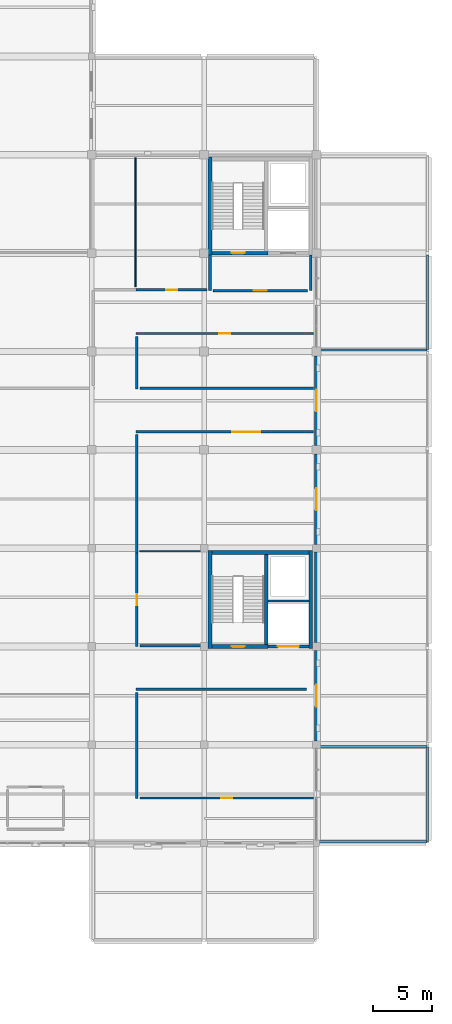
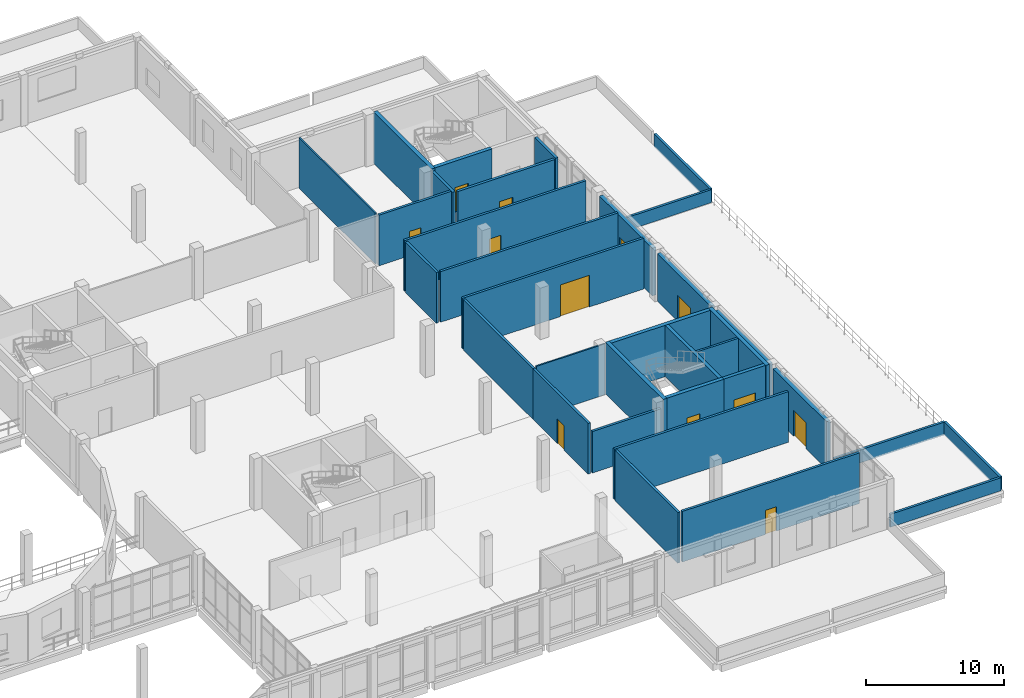
# One storey, part 79 of 88: 34 walls, 12 doors, 12 openings.
"""IFC4 building model written with IfcOpenShell, lengths in metres."""

import ifcopenshell
import ifcopenshell.guid

model = None  # the IFC model being written
_history = None  # IfcOwnerHistory: only IFC2X3 demands one
_inside = {}  # id of a spatial element -> (the spatial element, [elements in it])
_under = {}  # id of a project, library or spatial element -> (it, [spatial elements below it])
_declared = {}  # id of a project -> (the project, [libraries it declares])
_typed = {}  # id of a type object -> (the type object, [elements of that type])
_made_of = {}  # id of a material, layer set ... -> (it, [elements and type objects made of it])


def new_model(schema):
    """Start an empty IFC model of exactly this schema.

    Asked for "IFC4X3", IfcOpenShell would pick the latest addendum, in which some entities
    have other attributes; the version numbers below select the first issue.
    IFC2X3 requires an IfcOwnerHistory on every rooted entity: one is made here for all.
    """
    global model, _history
    if schema == "IFC4X3":
        model = ifcopenshell.file(schema_version=(4, 3, 0, 0))
    else:
        model = ifcopenshell.file(schema=schema)
    _inside.clear()
    _under.clear()
    _declared.clear()
    _typed.clear()
    _made_of.clear()
    _history = None
    if model.schema == "IFC2X3":
        org = make("IfcOrganization", Name="unknown")
        user = make(
            "IfcPersonAndOrganization",
            ThePerson=make("IfcPerson", FamilyName="unknown"),
            TheOrganization=org,
        )
        app = make(
            "IfcApplication",
            ApplicationDeveloper=org,
            Version="unknown",
            ApplicationFullName="unknown",
            ApplicationIdentifier="unknown",
        )
        _history = make(
            "IfcOwnerHistory",
            OwningUser=user,
            OwningApplication=app,
            ChangeAction="ADDED",
            CreationDate=0,
        )
    return model


def make(cls, **values):
    """One entity of the class cls with the attributes given. An attribute that is None is left unset."""
    return model.create_entity(
        cls, **{name: value for name, value in values.items() if value is not None}
    )


def rooted(cls, **values):
    """An entity with a GlobalId (a new one), such as an element, a storey or a relation."""
    return make(cls, GlobalId=ifcopenshell.guid.new(), OwnerHistory=_history, **values)


def si_unit(unit_type, name, prefix=None):
    """IfcSIUnit, for example si_unit("LENGTHUNIT", "METRE", prefix="MILLI")."""
    return make("IfcSIUnit", UnitType=unit_type, Prefix=prefix, Name=name)


def assignment(units):
    """IfcUnitAssignment: the units of a project."""
    return None if units is None else make("IfcUnitAssignment", Units=units)


def point(xyz):
    """IfcCartesianPoint."""
    return None if xyz is None else make("IfcCartesianPoint", Coordinates=xyz)


def direction(xyz):
    """IfcDirection."""
    return None if xyz is None else make("IfcDirection", DirectionRatios=xyz)


def frame(location, z_axis=None, x_axis=None):
    """IfcAxis2Placement3D, a coordinate frame: its origin and axes. An axis left out is left unset."""
    return make(
        "IfcAxis2Placement3D",
        Location=point(location),
        Axis=direction(z_axis),
        RefDirection=direction(x_axis),
    )


def frame_2d(location, x_axis=None):
    """IfcAxis2Placement2D, a coordinate frame in the plane: its origin and x axis."""
    return make(
        "IfcAxis2Placement2D", Location=point(location), RefDirection=direction(x_axis)
    )


def origin():
    """The frame at (0, 0, 0) with its axes left unset."""
    return frame((0.0, 0.0, 0.0))


def place(relative_to, where):
    """IfcLocalPlacement: puts the frame where relative to a parent placement (None: the world)."""
    return make(
        "IfcLocalPlacement", PlacementRelTo=relative_to, RelativePlacement=where
    )


def context(
    kind, dimensions, precision=None, world=None, true_north=None, identifier=None
):
    """IfcGeometricRepresentationContext, for example the 3D "Model" context."""
    return make(
        "IfcGeometricRepresentationContext",
        ContextIdentifier=identifier,
        ContextType=kind,
        CoordinateSpaceDimension=dimensions,
        Precision=precision,
        WorldCoordinateSystem=world,
        TrueNorth=true_north,
    )


def subcontext(parent, identifier, kind, view, scale=None):
    """IfcGeometricRepresentationSubContext, for example "Body" below "Model"."""
    return make(
        "IfcGeometricRepresentationSubContext",
        ContextIdentifier=identifier,
        ContextType=kind,
        ParentContext=parent,
        TargetScale=scale,
        TargetView=view,
    )


def project(units=None, contexts=None):
    """IfcProject with its units and contexts."""
    return rooted(
        "IfcProject",
        Name="project",
        RepresentationContexts=contexts,
        UnitsInContext=assignment(units),
    )


def spatial(cls, under=None, at=None, **own):
    """A site, building, storey or space (cls), placed at a placement, below another one or the project."""
    s = rooted(cls, ObjectPlacement=at, **own)
    if under is not None:
        _under.setdefault(under.id(), (under, []))[1].append(s)
    return s


def profile(cls, at=None, kind="AREA", **sizes):
    """A parametric profile (cls). Its sizes go by their IFC names, for example OverallWidth=200.0."""
    return make(cls, ProfileType=kind, Position=at, **sizes)


def rectangle(**sizes):
    """IfcRectangleProfileDef."""
    return profile("IfcRectangleProfileDef", **sizes)


def extrude(swept, where, along, depth):
    """IfcExtrudedAreaSolid: the profile swept, set in the frame where, extruded along a direction by depth."""
    return make(
        "IfcExtrudedAreaSolid",
        SweptArea=swept,
        Position=where,
        ExtrudedDirection=direction(along),
        Depth=depth,
    )


def shape(context_of_items, identifier, shape_type, items):
    """IfcShapeRepresentation: the items that make up one representation, for example the "Body"."""
    return make(
        "IfcShapeRepresentation",
        ContextOfItems=context_of_items,
        RepresentationIdentifier=identifier,
        RepresentationType=shape_type,
        Items=items,
    )


def material(Name=None, Category=None):
    """IfcMaterial."""
    return make("IfcMaterial", Name=Name, Category=Category)


def layer(
    of_material, thickness, ventilated=None, Name=None, Category=None, Priority=None
):
    """IfcMaterialLayer: one layer of a wall or slab, of a material (None: an air gap)."""
    return make(
        "IfcMaterialLayer",
        Material=of_material,
        LayerThickness=thickness,
        IsVentilated=ventilated,
        Name=Name,
        Category=Category,
        Priority=Priority,
    )


def layer_set(layers, Name=None):
    """IfcMaterialLayerSet."""
    return make("IfcMaterialLayerSet", MaterialLayers=layers, LayerSetName=Name)


def made_of(thing, what):
    """Note that an element or type object is made of a material, layer set ...; save() writes the relation."""
    if what is not None:
        _made_of.setdefault(what.id(), (what, []))[1].append(thing)
    return thing


def type_object(cls, material=None, **own):
    """A type object (cls), such as IfcWallType, which elements share."""
    return made_of(rooted(cls, **own), material)


def element(
    cls,
    number,
    at=None,
    inside=None,
    cuts=None,
    type_object=None,
    material=None,
    context=None,
    identifier="Body",
    shape_type=None,
    held_by="IfcProductDefinitionShape",
    body=None,
    shapes=None,
    **own,
):
    """One element of the class cls, such as IfcWall. Its Tag is "e" and its number.

    at: its placement. inside: the storey or other place that contains it. cuts: it is an
    opening in that element (IfcRelVoidsElement). A single representation is given by context,
    identifier, shape_type and body (its items); several are given by shapes. held_by: the class
    of the entity that holds the representations. save() writes the other relations.
    """
    e = rooted(cls, Tag="e%d" % number, ObjectPlacement=at, **own)
    if body is not None:
        shapes = [shape(context, identifier, shape_type, body)]
    if shapes is not None:
        e.Representation = make(held_by, Representations=shapes)
    if inside is not None:
        _inside.setdefault(inside.id(), (inside, []))[1].append(e)
    if cuts is not None:
        rooted(
            "IfcRelVoidsElement", RelatingBuildingElement=cuts, RelatedOpeningElement=e
        )
    if type_object is not None:
        _typed.setdefault(type_object.id(), (type_object, []))[1].append(e)
    return made_of(e, material)


def fill(opening, filler):
    """IfcRelFillsElement: the door or window that sits in an opening."""
    return rooted(
        "IfcRelFillsElement",
        RelatingOpeningElement=opening,
        RelatedBuildingElement=filler,
    )


def aggregate(whole, parts):
    """IfcRelAggregates: a whole, such as a stair, and the parts it consists of."""
    return rooted("IfcRelAggregates", RelatingObject=whole, RelatedObjects=parts)


def save(model, path):
    """Write the relations noted so far, then the file.

    IfcRelAggregates (storeys below a building ...), IfcRelContainedInSpatialStructure (elements
    in a storey), IfcRelDefinesByType, IfcRelAssociatesMaterial and IfcRelDeclares: one each for
    every whole, place, type object, material and project.
    """
    for whole, parts in _under.values():
        aggregate(whole, parts)
    for where, things in _inside.values():
        rooted(
            "IfcRelContainedInSpatialStructure",
            RelatedElements=things,
            RelatingStructure=where,
        )
    for kind, things in _typed.values():
        rooted("IfcRelDefinesByType", RelatedObjects=things, RelatingType=kind)
    for what, things in _made_of.values():
        rooted("IfcRelAssociatesMaterial", RelatedObjects=things, RelatingMaterial=what)
    for by, libraries in _declared.values():
        rooted("IfcRelDeclares", RelatingContext=by, RelatedDefinitions=libraries)
    model.write(path)


model = new_model("IFC4")

# Units and contexts
model_context = context("Model", 3, precision=1e-05, world=origin(), true_north=direction((0.0, 1.0)))
body_context = subcontext(model_context, "Body", "Model", "MODEL_VIEW")
ifc_project = project(units=[si_unit("LENGTHUNIT", "METRE"), si_unit("AREAUNIT", "SQUARE_METRE"), si_unit("VOLUMEUNIT", "CUBIC_METRE"), si_unit("PLANEANGLEUNIT", "RADIAN"), si_unit("MASSUNIT", "GRAM", prefix="KILO")], contexts=[model_context])

# Site, building, storey
site_placement = place(None, origin())
site = spatial("IfcSite", under=ifc_project, at=site_placement, CompositionType="ELEMENT")
building_placement = place(site_placement, origin())
building = spatial("IfcBuilding", under=site, at=building_placement, Name="Lornevale Opera House", CompositionType="ELEMENT")
storey_placement = place(building_placement, frame((0.0, 0.0, 10.199951171875)))
storey = spatial("IfcBuildingStorey", under=building, at=storey_placement, Name="L03", CompositionType="ELEMENT", Elevation=10.199951171875)

# Wall, opening, door
ifc_material_1 = material(Name="Queenston Buff Limestone Ashlar Masonry (25 MPa)", Category="masonry")
ifc_layer_1 = layer(ifc_material_1, 0.324951171875)
ifc_layer_set_1 = layer_set([ifc_layer_1], Name="Queenston Buff Limestone Ashlar Masonry (25 MPa)")
wall_type_1 = type_object("IfcWallType", Name="Backstage Limestone Facade Wall 325", PredefinedType="SOLIDWALL", material=ifc_layer_set_1)
wall_1_placement = place(storey_placement, frame((144.0, 33.27490234375, 0.0), z_axis=(0.0, 0.0, 1.0), x_axis=(0.0, -1.0, 0.0)))
wall_1 = element("IfcWall", 1, at=wall_1_placement, inside=storey, type_object=wall_type_1, Name="Backstage Limestone Facade Wall 325 WL-EXT-0244", PredefinedType="SOLIDWALL", context=body_context, shape_type="SweptSolid", body=[
    extrude(rectangle(XDim=7.75, YDim=0.324951171875, at=frame_2d((3.875, 0.0))), origin(), (0.0, 0.0, 1.0), 4.177978515625),
])
opening_1_placement = place(wall_1_placement, frame((2.949951171875, 0.0, 0.0)))
opening_1 = element("IfcOpeningElement", 2, at=opening_1_placement, cuts=wall_1, Name="Opening DR-T03", PredefinedType="OPENING", context=body_context, shape_type="SweptSolid", body=[
    extrude(rectangle(XDim=1.85009765625, YDim=2.300048828125, at=frame_2d((0.925048828125, 1.14990234375))), frame((0.0, 0.17236328125, 0.0), z_axis=(0.0, -1.0, 0.0), x_axis=(1.0, 0.0, 0.0)), (0.0, 0.0, 1.0), 0.344970703125),
])
ifc_material_2 = material(Name="Anodized Oxide-Green Aluminium Framing", Category="aluminium")
ifc_layer_2 = layer(ifc_material_2, 0.050048828125)
ifc_layer_set_2 = layer_set([ifc_layer_2], Name="Anodized Oxide-Green Aluminium Framing")
door_type_1 = type_object("IfcDoorType", Name="Escarpment Terrace Double Door 1850x2300", OperationType="NOTDEFINED", PredefinedType="DOOR", material=ifc_layer_set_2)
door_1_placement = place(opening_1_placement, origin())
door_1 = element("IfcDoor", 3, at=door_1_placement, inside=storey, type_object=door_type_1, Name="Escarpment Terrace Double Door 1850x2300 DR-EXT-039", OperationType="DOUBLE_DOOR_SINGLE_SWING", OverallHeight=2.300048828125, OverallWidth=1.85009765625, PredefinedType="DOOR", context=body_context, shape_type="SweptSolid", body=[
    extrude(rectangle(XDim=1.85009765625, YDim=2.300048828125, at=frame_2d((0.925048828125, 1.14990234375))), frame((0.0, 0.02490234375, 0.0), z_axis=(0.0, -1.0, 0.0), x_axis=(1.0, 0.0, 0.0)), (0.0, 0.0, 1.0), 0.050048828125),
])
fill(opening_1, door_1)

# Wall
wall_2_placement = place(storey_placement, frame((144.0, 41.675048828125, 0.0), z_axis=(0.0, 0.0, 1.0), x_axis=(0.0, -1.0, 0.0)))
element("IfcWall", 4, at=wall_2_placement, inside=storey, type_object=wall_type_1, Name="Backstage Limestone Facade Wall 325 WL-EXT-0245", PredefinedType="SOLIDWALL", context=body_context, shape_type="SweptSolid", body=[
    extrude(rectangle(XDim=7.75, YDim=0.324951171875, at=frame_2d((3.875, 0.0))), origin(), (0.0, 0.0, 1.0), 4.2080078125),
])

# Wall, opening, door
wall_3_placement = place(storey_placement, frame((144.0, 50.02490234375, 0.0), z_axis=(0.0, 0.0, 1.0), x_axis=(0.0, -1.0, 0.0)))
wall_3 = element("IfcWall", 5, at=wall_3_placement, inside=storey, type_object=wall_type_1, Name="Backstage Limestone Facade Wall 325 WL-EXT-0246", PredefinedType="SOLIDWALL", context=body_context, shape_type="SweptSolid", body=[
    extrude(rectangle(XDim=7.699951171875, YDim=0.324951171875, at=frame_2d((3.85009765625, 0.0))), origin(), (0.0, 0.0, 1.0), 4.2080078125),
])
opening_2_placement = place(wall_3_placement, frame((2.925048828125, 0.0, 0.0)))
opening_2 = element("IfcOpeningElement", 6, at=opening_2_placement, cuts=wall_3, Name="Opening DR-T03", PredefinedType="OPENING", context=body_context, shape_type="SweptSolid", body=[
    extrude(rectangle(XDim=1.85009765625, YDim=2.300048828125, at=frame_2d((0.925048828125, 1.14990234375))), frame((0.0, 0.17236328125, 0.0), z_axis=(0.0, -1.0, 0.0), x_axis=(1.0, 0.0, 0.0)), (0.0, 0.0, 1.0), 0.344970703125),
])
door_2_placement = place(opening_2_placement, origin())
door_2 = element("IfcDoor", 7, at=door_2_placement, inside=storey, type_object=door_type_1, Name="Escarpment Terrace Double Door 1850x2300 DR-EXT-040", OperationType="DOUBLE_DOOR_SINGLE_SWING", OverallHeight=2.300048828125, OverallWidth=1.85009765625, PredefinedType="DOOR", context=body_context, shape_type="SweptSolid", body=[
    extrude(rectangle(XDim=1.85009765625, YDim=2.300048828125, at=frame_2d((0.925048828125, 1.14990234375))), frame((0.0, 0.02490234375, 0.0), z_axis=(0.0, -1.0, 0.0), x_axis=(1.0, 0.0, 0.0)), (0.0, 0.0, 1.0), 0.050048828125),
])
fill(opening_2, door_2)

wall_4_placement = place(storey_placement, frame((144.0, 58.425048828125, 0.0), z_axis=(0.0, 0.0, 1.0), x_axis=(0.0, -1.0, 0.0)))
wall_4 = element("IfcWall", 8, at=wall_4_placement, inside=storey, type_object=wall_type_1, Name="Backstage Limestone Facade Wall 325 WL-EXT-0247", PredefinedType="SOLIDWALL", context=body_context, shape_type="SweptSolid", body=[
    extrude(rectangle(XDim=7.650146484375, YDim=0.324951171875, at=frame_2d((3.8251953125, 0.0))), origin(), (0.0, 0.0, 1.0), 4.2080078125),
])
opening_3_placement = place(wall_4_placement, frame((2.89990234375, 0.0, 0.0)))
opening_3 = element("IfcOpeningElement", 9, at=opening_3_placement, cuts=wall_4, Name="Opening DR-T03", PredefinedType="OPENING", context=body_context, shape_type="SweptSolid", body=[
    extrude(rectangle(XDim=1.85009765625, YDim=2.300048828125, at=frame_2d((0.925048828125, 1.14990234375))), frame((0.0, 0.17236328125, 0.0), z_axis=(0.0, -1.0, 0.0), x_axis=(1.0, 0.0, 0.0)), (0.0, 0.0, 1.0), 0.344970703125),
])
door_3_placement = place(opening_3_placement, origin())
door_3 = element("IfcDoor", 10, at=door_3_placement, inside=storey, type_object=door_type_1, Name="Escarpment Terrace Double Door 1850x2300 DR-EXT-041", OperationType="DOUBLE_DOOR_SINGLE_SWING", OverallHeight=2.300048828125, OverallWidth=1.85009765625, PredefinedType="DOOR", context=body_context, shape_type="SweptSolid", body=[
    extrude(rectangle(XDim=1.85009765625, YDim=2.300048828125, at=frame_2d((0.925048828125, 1.14990234375))), frame((0.0, 0.02490234375, 0.0), z_axis=(0.0, -1.0, 0.0), x_axis=(1.0, 0.0, 0.0)), (0.0, 0.0, 1.0), 0.050048828125),
])
fill(opening_3, door_3)

ifc_material_3 = material(Name="Concrete 40 MPa (CSA A23.1 C-1)", Category="concrete")
ifc_layer_3 = layer(ifc_material_3, 0.320068359375)
ifc_layer_set_3 = layer_set([ifc_layer_3], Name="Concrete 40 MPa (CSA A23.1 C-1)")
wall_type_2 = type_object("IfcWallType", Name="Core Shear Wall 320", PredefinedType="SHEAR", material=ifc_layer_set_3)
wall_5_placement = place(storey_placement, frame((135.06005859375, 67.199951171875, 0.0), z_axis=(0.0, 0.0, 1.0), x_axis=(1.0, 0.0, 0.0)))
wall_5 = element("IfcWall", 11, at=wall_5_placement, inside=storey, type_object=wall_type_2, Name="Backstage Firefighter Core East Core Shear Wall 320 WL-COR-0289", PredefinedType="SHEAR", context=body_context, shape_type="SweptSolid", body=[
    extrude(rectangle(XDim=4.780029296875, YDim=0.320068359375, at=frame_2d((2.39013671875, 0.0))), origin(), (0.0, 0.0, 1.0), 4.5400390625),
])
opening_4_placement = place(wall_5_placement, frame((1.68994140625, 0.0, 0.0)))
opening_4 = element("IfcOpeningElement", 12, at=opening_4_placement, cuts=wall_5, Name="Opening DR-T10", PredefinedType="OPENING", context=body_context, shape_type="SweptSolid", body=[
    extrude(rectangle(XDim=1.10009765625, YDim=2.199951171875, at=frame_2d((0.550048828125, 1.10009765625))), frame((0.0, 0.169921875, 0.0), z_axis=(0.0, -1.0, 0.0), x_axis=(1.0, 0.0, 0.0)), (0.0, 0.0, 1.0), 0.340087890625),
])
ifc_material_4 = material(Name="Painted Hollow Metal Door Steel", Category="steel")
ifc_layer_4 = layer(ifc_material_4, 2.199951171875)
ifc_layer_set_4 = layer_set([ifc_layer_4], Name="Painted Hollow Metal Door Steel")
door_type_2 = type_object("IfcDoorType", Name="Protected Exit Stair Door L 1100x2200", OperationType="NOTDEFINED", PredefinedType="DOOR", material=ifc_layer_set_4)
door_4_placement = place(opening_4_placement, origin())
door_4 = element("IfcDoor", 13, at=door_4_placement, inside=storey, type_object=door_type_2, Name="C7 Stair Door L03", OperationType="SINGLE_SWING_LEFT", OverallHeight=2.199951171875, OverallWidth=1.10009765625, PredefinedType="DOOR", context=body_context, shape_type="SweptSolid", body=[
    extrude(rectangle(XDim=1.10009765625, YDim=2.199951171875, at=frame_2d((0.550048828125, 1.10009765625))), frame((0.0, 0.02490234375, 0.0), z_axis=(0.0, -1.0, 0.0), x_axis=(1.0, 0.0, 0.0)), (0.0, 0.0, 1.0), 0.050048828125),
])
fill(opening_4, door_4)

# Wall
wall_6_placement = place(storey_placement, frame((134.89990234375, 75.39990234375, 0.0), z_axis=(0.0, 0.0, 1.0), x_axis=(0.0, -1.0, 0.0)))
element("IfcWall", 14, at=wall_6_placement, inside=storey, type_object=wall_type_2, Name="Backstage Firefighter Core East Core Shear Wall 320 WL-COR-0292", PredefinedType="SHEAR", context=body_context, shape_type="SweptSolid", body=[
    extrude(rectangle(XDim=8.35986328125, YDim=0.320068359375, at=frame_2d((4.179931640625, 0.0))), origin(), (0.0, 0.0, 1.0), 4.5400390625),
])

# Wall, opening, door
wall_7_placement = place(storey_placement, frame((135.06005859375, 33.60009765625, 0.0), z_axis=(0.0, 0.0, 1.0), x_axis=(1.0, 0.0, 0.0)))
wall_7 = element("IfcWall", 15, at=wall_7_placement, inside=storey, type_object=wall_type_2, Name="Backstage Service Lift Core Core Shear Wall 320 WL-COR-0345", PredefinedType="SHEAR", context=body_context, shape_type="SweptSolid", body=[
    extrude(rectangle(XDim=4.780029296875, YDim=0.320068359375, at=frame_2d((2.39013671875, 0.0))), origin(), (0.0, 0.0, 1.0), 4.5400390625),
])
opening_5_placement = place(wall_7_placement, frame((1.68994140625, 0.0, 0.0)))
opening_5 = element("IfcOpeningElement", 16, at=opening_5_placement, cuts=wall_7, Name="Opening DR-T11", PredefinedType="OPENING", context=body_context, shape_type="SweptSolid", body=[
    extrude(rectangle(XDim=1.10009765625, YDim=2.199951171875, at=frame_2d((0.550048828125, 1.10009765625))), frame((0.0, 0.169921875, 0.0), z_axis=(0.0, -1.0, 0.0), x_axis=(1.0, 0.0, 0.0)), (0.0, 0.0, 1.0), 0.340087890625),
])
ifc_layer_5 = layer(ifc_material_4, 2.199951171875)
ifc_layer_set_5 = layer_set([ifc_layer_5], Name="Painted Hollow Metal Door Steel")
door_type_3 = type_object("IfcDoorType", Name="Protected Exit Stair Door R 1100x2200", OperationType="NOTDEFINED", PredefinedType="DOOR", material=ifc_layer_set_5)
door_5_placement = place(opening_5_placement, origin())
door_5 = element("IfcDoor", 17, at=door_5_placement, inside=storey, type_object=door_type_3, Name="C8 Stair Door L03", OperationType="SINGLE_SWING_RIGHT", OverallHeight=2.199951171875, OverallWidth=1.10009765625, PredefinedType="DOOR", context=body_context, shape_type="SweptSolid", body=[
    extrude(rectangle(XDim=1.10009765625, YDim=2.199951171875, at=frame_2d((0.550048828125, 1.10009765625))), frame((0.0, 0.02490234375, 0.0), z_axis=(0.0, -1.0, 0.0), x_axis=(1.0, 0.0, 0.0)), (0.0, 0.0, 1.0), 0.050048828125),
])
fill(opening_5, door_5)

# Walls
wall_8_placement = place(storey_placement, frame((143.340087890625, 41.639892578125, 0.0), z_axis=(0.0, 0.0, 1.0), x_axis=(-1.0, 0.0, 0.0)))
element("IfcWall", 18, at=wall_8_placement, inside=storey, type_object=wall_type_2, Name="Backstage Service Lift Core Core Shear Wall 320 WL-COR-0347", PredefinedType="SHEAR", context=body_context, shape_type="SweptSolid", body=[
    extrude(rectangle(XDim=8.280029296875, YDim=0.320068359375, at=frame_2d((4.14013671875, 0.0))), origin(), (0.0, 0.0, 1.0), 4.5400390625),
])
for number, where, z_axis, x_axis, name in (
    (19, (134.89990234375, 41.800048828125, 0.0), (0.0, 0.0, 1.0), (0.0, -1.0, 0.0), "Backstage Service Lift Core Core Shear Wall 320 WL-COR-0348"),
    (20, (143.5, 33.43994140625, 0.0), (0.0, 0.0, 1.0), (0.0, 1.0, 0.0), "Backstage Service Lift Core Core Shear Wall 320 WL-COR-0349"),
):
    element("IfcWall", number, at=place(storey_placement, frame(where, z_axis=z_axis, x_axis=x_axis)), inside=storey, type_object=wall_type_2, Name=name, PredefinedType="SHEAR", context=body_context, shape_type="SweptSolid", body=[
        extrude(rectangle(XDim=8.360107421875, YDim=0.320068359375, at=frame_2d((4.18017578125, 0.0))), origin(), (0.0, 0.0, 1.0), 4.5400390625),
    ])
ifc_material_5 = material(Name="Acoustic Mineral-Core Gypsum Partition", Category="gypsum")
ifc_layer_6 = layer(ifc_material_5, 0.125)
ifc_layer_set_6 = layer_set([ifc_layer_6], Name="Acoustic Mineral-Core Gypsum Partition")
wall_type_3 = type_object("IfcWallType", Name="Dressing Suite Partition 125", PredefinedType="PARTITIONING", material=ifc_layer_set_6)
wall_9_placement = place(storey_placement, frame((128.909912109375, 41.739990234375, 0.0), z_axis=(0.0, 0.0, 1.0), x_axis=(1.0, 0.0, 0.0)))
element("IfcWall", 21, at=wall_9_placement, inside=storey, type_object=wall_type_3, Name="L03 Partition WL-INT-0864", PredefinedType="PARTITIONING", context=body_context, shape_type="SweptSolid", body=[
    extrude(rectangle(XDim=5.739990234375, YDim=0.125, at=frame_2d((2.8701171875, 0.0))), origin(), (0.0, 0.0, 1.0), 4.510009765625),
])
wall_10_placement = place(storey_placement, frame((128.5400390625, 64.31005859375, 0.0), z_axis=(0.0, 0.0, 1.0), x_axis=(0.0, 1.0, 0.0)))
element("IfcWall", 22, at=wall_10_placement, inside=storey, type_object=wall_type_3, Name="L03 Partition WL-INT-0865", PredefinedType="PARTITIONING", context=body_context, shape_type="SweptSolid", body=[
    extrude(rectangle(XDim=11.0400390625, YDim=0.125, at=frame_2d((5.52001953125, 0.0))), origin(), (0.0, 0.0, 1.0), 4.47998046875),
])

# Wall, opening, door
ifc_layer_7 = layer(ifc_material_3, 0.280029296875)
ifc_layer_set_7 = layer_set([ifc_layer_7], Name="Concrete 40 MPa (CSA A23.1 C-1)")
wall_type_4 = type_object("IfcWallType", Name="Elevator Shaft Wall 280", PredefinedType="SHEAR", material=ifc_layer_set_7)
wall_11_placement = place(storey_placement, frame((139.840087890625, 33.60009765625, 0.0), z_axis=(0.0, 0.0, 1.0), x_axis=(1.0, 0.0, 0.0)))
wall_11 = element("IfcWall", 23, at=wall_11_placement, inside=storey, type_object=wall_type_4, Name="Backstage Service Lift Core Elevator Shaft Wall 280 WL-COR-0346", PredefinedType="SHEAR", context=body_context, shape_type="SweptSolid", body=[
    extrude(rectangle(XDim=3.5, YDim=0.280029296875, at=frame_2d((1.75, 0.0))), origin(), (0.0, 0.0, 1.0), 4.5400390625),
])
opening_6_placement = place(wall_11_placement, frame((0.860107421875, 0.0, 0.0)))
opening_6 = element("IfcOpeningElement", 24, at=opening_6_placement, cuts=wall_11, Name="Opening DR-T27", PredefinedType="OPENING", context=body_context, shape_type="SweptSolid", body=[
    extrude(rectangle(XDim=1.800048828125, YDim=2.39990234375, at=frame_2d((0.89990234375, 1.199951171875))), frame((0.0, 0.14990234375, 0.0), z_axis=(0.0, -1.0, 0.0), x_axis=(1.0, 0.0, 0.0)), (0.0, 0.0, 1.0), 0.300048828125),
])
ifc_layer_8 = layer(ifc_material_4, 2.39990234375)
ifc_layer_set_8 = layer_set([ifc_layer_8], Name="Painted Hollow Metal Door Steel")
door_type_4 = type_object("IfcDoorType", Name="Freight Lift Landing Door 1800x2400", OperationType="NOTDEFINED", PredefinedType="DOOR", material=ifc_layer_set_8)
door_6_placement = place(opening_6_placement, origin())
door_6 = element("IfcDoor", 25, at=door_6_placement, inside=storey, type_object=door_type_4, Name="L-B2 Landing Door L03", OperationType="SLIDING_TO_LEFT", OverallHeight=2.39990234375, OverallWidth=1.800048828125, PredefinedType="DOOR", context=body_context, shape_type="SweptSolid", body=[
    extrude(rectangle(XDim=1.800048828125, YDim=2.39990234375, at=frame_2d((0.89990234375, 1.199951171875))), frame((0.0, 0.02490234375, 0.0), z_axis=(0.0, -1.0, 0.0), x_axis=(1.0, 0.0, 0.0)), (0.0, 0.0, 1.0), 0.050048828125),
])
fill(opening_6, door_6)

# Walls
wall_12_placement = place(storey_placement, frame((139.699951171875, 33.760009765625, 0.0), z_axis=(0.0, 0.0, 1.0), x_axis=(0.0, 1.0, 0.0)))
element("IfcWall", 26, at=wall_12_placement, inside=storey, type_object=wall_type_4, Name="Backstage Service Lift Core Elevator Shaft Wall 280 WL-COR-0350", PredefinedType="SHEAR", context=body_context, shape_type="SweptSolid", body=[
    extrude(rectangle(XDim=7.719970703125, YDim=0.280029296875, at=frame_2d((3.85986328125, 0.0))), origin(), (0.0, 0.0, 1.0), 4.5400390625),
])
ifc_material_6 = material(Name="Concrete 35 MPa (CSA A23.1 N)", Category="concrete")
ifc_layer_9 = layer(ifc_material_6, 0.219970703125)
ifc_layer_set_9 = layer_set([ifc_layer_9], Name="Concrete 35 MPa (CSA A23.1 N)")
wall_type_5 = type_object("IfcWallType", Name="Firefighter Vestibule Wall 220", PredefinedType="SOLIDWALL", material=ifc_layer_set_9)
for number, where, z_axis, x_axis, name in (
    (27, (134.89990234375, 64.0, 0.0), (0.0, 0.0, 1.0), (0.0, 1.0, 0.0), "C7 Vestibule West Wall WL-INT-0403"),
    (28, (143.5, 64.0, 0.0), (0.0, 0.0, 1.0), (0.0, 1.0, 0.0), "C7 Vestibule East Wall WL-INT-0404"),
):
    element("IfcWall", number, at=place(storey_placement, frame(where, z_axis=z_axis, x_axis=x_axis)), inside=storey, type_object=wall_type_5, Name=name, PredefinedType="SOLIDWALL", context=body_context, shape_type="SweptSolid", body=[
        extrude(rectangle(XDim=3.0400390625, YDim=0.219970703125, at=frame_2d((1.52001953125, 0.0))), origin(), (0.0, 0.0, 1.0), 4.320068359375),
    ])

# Wall, opening, door
wall_13_placement = place(storey_placement, frame((135.14990234375, 64.0, 0.0), z_axis=(0.0, 0.0, 1.0), x_axis=(1.0, 0.0, 0.0)))
wall_13 = element("IfcWall", 29, at=wall_13_placement, inside=storey, type_object=wall_type_5, Name="C7 Vestibule South Wall WL-INT-0405", PredefinedType="SOLIDWALL", context=body_context, shape_type="SweptSolid", body=[
    extrude(rectangle(XDim=8.10009765625, YDim=0.219970703125, at=frame_2d((4.050048828125, 0.0))), origin(), (0.0, 0.0, 1.0), 4.320068359375),
])
opening_7_placement = place(wall_13_placement, frame((3.5, 0.0, 0.0)))
opening_7 = element("IfcOpeningElement", 30, at=opening_7_placement, cuts=wall_13, Name="Opening DR-T13", PredefinedType="OPENING", context=body_context, shape_type="SweptSolid", body=[
    extrude(rectangle(XDim=1.10009765625, YDim=2.199951171875, at=frame_2d((0.550048828125, 1.10009765625))), frame((0.0, 0.119873046875, 0.0), z_axis=(0.0, -1.0, 0.0), x_axis=(1.0, 0.0, 0.0)), (0.0, 0.0, 1.0), 0.239990234375),
])
ifc_layer_10 = layer(ifc_material_4, 2.199951171875)
ifc_layer_set_10 = layer_set([ifc_layer_10], Name="Painted Hollow Metal Door Steel")
door_type_5 = type_object("IfcDoorType", Name="Firefighter Vestibule Door 1100x2200", OperationType="NOTDEFINED", PredefinedType="DOOR", material=ifc_layer_set_10)
door_7_placement = place(opening_7_placement, origin())
door_7 = element("IfcDoor", 31, at=door_7_placement, inside=storey, type_object=door_type_5, Name="C7 Firefighter Vestibule Door L03", OperationType="SINGLE_SWING_LEFT", OverallHeight=2.199951171875, OverallWidth=1.10009765625, PredefinedType="DOOR", context=body_context, shape_type="SweptSolid", body=[
    extrude(rectangle(XDim=1.10009765625, YDim=2.199951171875, at=frame_2d((0.550048828125, 1.10009765625))), frame((0.0, 0.02490234375, 0.0), z_axis=(0.0, -1.0, 0.0), x_axis=(1.0, 0.0, 0.0)), (0.0, 0.0, 1.0), 0.050048828125),
])
fill(opening_7, door_7)

# Walls
ifc_material_7 = material(Name="Precast Concrete 40 MPa (CSA A23.1 C-1)", Category="concrete")
ifc_layer_11 = layer(ifc_material_7, 0.195068359375)
ifc_layer_set_11 = layer_set([ifc_layer_11], Name="Precast Concrete 40 MPa (CSA A23.1 C-1)")
wall_type_6 = type_object("IfcWallType", Name="Green Roof Parapet Wall 195", PredefinedType="PARAPET", material=ifc_layer_set_11)
wall_14_placement = place(storey_placement, frame((144.159912109375, 25.070068359375, 0.0), z_axis=(0.0, 0.0, 1.0), x_axis=(1.0, 0.0, 0.0)))
element("IfcWall", 32, at=wall_14_placement, inside=storey, type_object=wall_type_6, Name="Green Roof Parapet Wall 195 0417", PredefinedType="PARAPET", context=body_context, shape_type="SweptSolid", body=[
    extrude(rectangle(XDim=9.280029296875, YDim=0.195068359375, at=frame_2d((4.64013671875, 0.0))), origin(), (0.0, 0.0, 1.0), 1.150146484375),
])
wall_15_placement = place(storey_placement, frame((153.469970703125, 25.0400390625, 0.0), z_axis=(0.0, 0.0, 1.0), x_axis=(0.0, -1.0, 0.0)))
element("IfcWall", 33, at=wall_15_placement, inside=storey, type_object=wall_type_6, Name="Green Roof Parapet Wall 195 0418", PredefinedType="PARAPET", context=body_context, shape_type="SweptSolid", body=[
    extrude(rectangle(XDim=8.080078125, YDim=0.195068359375, at=frame_2d((4.0400390625, 0.0))), origin(), (0.0, 0.0, 1.0), 1.150146484375),
])
wall_16_placement = place(storey_placement, frame((153.43994140625, 16.929931640625, 0.0), z_axis=(0.0, 0.0, 1.0), x_axis=(-1.0, 0.0, 0.0)))
element("IfcWall", 34, at=wall_16_placement, inside=storey, type_object=wall_type_6, Name="Green Roof Parapet Wall 195 0419", PredefinedType="PARAPET", context=body_context, shape_type="SweptSolid", body=[
    extrude(rectangle(XDim=9.280029296875, YDim=0.195068359375, at=frame_2d((4.64013671875, 0.0))), origin(), (0.0, 0.0, 1.0), 1.150146484375),
])
wall_17_placement = place(storey_placement, frame((153.469970703125, 67.0400390625, 0.0), z_axis=(0.0, 0.0, 1.0), x_axis=(0.0, -1.0, 0.0)))
element("IfcWall", 35, at=wall_17_placement, inside=storey, type_object=wall_type_6, Name="Green Roof Parapet Wall 195 0422", PredefinedType="PARAPET", context=body_context, shape_type="SweptSolid", body=[
    extrude(rectangle(XDim=8.080078125, YDim=0.195068359375, at=frame_2d((4.0400390625, 0.0))), origin(), (0.0, 0.0, 1.0), 1.150146484375),
])
wall_18_placement = place(storey_placement, frame((153.43994140625, 58.929931640625, 0.0), z_axis=(0.0, 0.0, 1.0), x_axis=(-1.0, 0.0, 0.0)))
element("IfcWall", 36, at=wall_18_placement, inside=storey, type_object=wall_type_6, Name="Green Roof Parapet Wall 195 0423", PredefinedType="PARAPET", context=body_context, shape_type="SweptSolid", body=[
    extrude(rectangle(XDim=9.280029296875, YDim=0.195068359375, at=frame_2d((4.64013671875, 0.0))), origin(), (0.0, 0.0, 1.0), 1.150146484375),
])
ifc_layer_12 = layer(ifc_material_5, 0.199951171875)
ifc_layer_set_12 = layer_set([ifc_layer_12], Name="Acoustic Mineral-Core Gypsum Partition")
wall_type_7 = type_object("IfcWallType", Name="Practice Studio Double-Stud Wall 200", PredefinedType="SOLIDWALL", material=ifc_layer_set_12)
wall_19_placement = place(storey_placement, frame((128.60009765625, 29.93994140625, 0.0), z_axis=(0.0, 0.0, 1.0), x_axis=(1.0, 0.0, 0.0)))
element("IfcWall", 37, at=wall_19_placement, inside=storey, type_object=wall_type_7, Name="L03 Partition WL-INT-0837", PredefinedType="SOLIDWALL", context=body_context, shape_type="SweptSolid", body=[
    extrude(rectangle(XDim=14.535888671875, YDim=0.199951171875, at=frame_2d((7.26806640625, 0.0))), origin(), (0.0, 0.0, 1.0), 4.47998046875),
])
wall_20_placement = place(storey_placement, frame((128.659912109375, 20.60009765625, 0.0), z_axis=(0.0, 0.0, 1.0), x_axis=(0.0, 1.0, 0.0)))
element("IfcWall", 38, at=wall_20_placement, inside=storey, type_object=wall_type_7, Name="L03 Partition WL-INT-0838", PredefinedType="SOLIDWALL", context=body_context, shape_type="SweptSolid", body=[
    extrude(rectangle(XDim=9.08984375, YDim=0.199951171875, at=frame_2d((4.544921875, 0.0))), origin(), (0.0, 0.0, 1.0), 4.47998046875),
])

# Wall, opening, door
wall_21_placement = place(storey_placement, frame((128.909912109375, 20.659912109375, 0.0), z_axis=(0.0, 0.0, 1.0), x_axis=(1.0, 0.0, 0.0)))
wall_21 = element("IfcWall", 39, at=wall_21_placement, inside=storey, type_object=wall_type_7, Name="L03 Partition WL-INT-0839", PredefinedType="SOLIDWALL", context=body_context, shape_type="SweptSolid", body=[
    extrude(rectangle(XDim=14.840087890625, YDim=0.199951171875, at=frame_2d((7.419921875, 0.0))), origin(), (0.0, 0.0, 1.0), 4.47998046875),
])
opening_8_placement = place(wall_21_placement, frame((6.945068359375, 0.0, 0.0)))
opening_8 = element("IfcOpeningElement", 40, at=opening_8_placement, cuts=wall_21, Name="Opening DR-T20", PredefinedType="OPENING", context=body_context, shape_type="SweptSolid", body=[
    extrude(rectangle(XDim=0.949951171875, YDim=2.14990234375, at=frame_2d((0.47509765625, 1.074951171875))), frame((0.0, 0.10986328125, 0.0), z_axis=(0.0, -1.0, 0.0), x_axis=(1.0, 0.0, 0.0)), (0.0, 0.0, 1.0), 0.219970703125),
])
ifc_material_8 = material(Name="White Oak Acoustic Panelling", Category="wood")
ifc_layer_13 = layer(ifc_material_8, 2.14990234375)
ifc_layer_set_13 = layer_set([ifc_layer_13], Name="White Oak Acoustic Panelling")
door_type_6 = type_object("IfcDoorType", Name="Soloist Dressing Door R 950x2150", OperationType="NOTDEFINED", PredefinedType="DOOR", material=ifc_layer_set_13)
door_8_placement = place(opening_8_placement, origin())
door_8 = element("IfcDoor", 41, at=door_8_placement, inside=storey, type_object=door_type_6, Name="Vocal Coaching Studios Door", OperationType="SINGLE_SWING_RIGHT", OverallHeight=2.14990234375, OverallWidth=0.949951171875, PredefinedType="DOOR", context=body_context, shape_type="SweptSolid", body=[
    extrude(rectangle(XDim=0.949951171875, YDim=2.14990234375, at=frame_2d((0.47509765625, 1.074951171875))), frame((0.0, 0.02490234375, 0.0), z_axis=(0.0, -1.0, 0.0), x_axis=(1.0, 0.0, 0.0)), (0.0, 0.0, 1.0), 0.050048828125),
])
fill(opening_8, door_8)

wall_22_placement = place(storey_placement, frame((128.60009765625, 51.93994140625, 0.0), z_axis=(0.0, 0.0, 1.0), x_axis=(1.0, 0.0, 0.0)))
wall_22 = element("IfcWall", 42, at=wall_22_placement, inside=storey, type_object=wall_type_7, Name="L03 Partition WL-INT-0840", PredefinedType="SOLIDWALL", context=body_context, shape_type="SweptSolid", body=[
    extrude(rectangle(XDim=15.14990234375, YDim=0.199951171875, at=frame_2d((7.574951171875, 0.0))), origin(), (0.0, 0.0, 1.0), 4.47998046875),
])
opening_9_placement = place(wall_22_placement, frame((8.193115234375, 0.0, 0.0)))
opening_9 = element("IfcOpeningElement", 43, at=opening_9_placement, cuts=wall_22, Name="Opening DR-T16", PredefinedType="OPENING", context=body_context, shape_type="SweptSolid", body=[
    extrude(rectangle(XDim=2.39990234375, YDim=2.800048828125, at=frame_2d((1.199951171875, 1.39990234375))), frame((0.0, 0.10986328125, 0.0), z_axis=(0.0, -1.0, 0.0), x_axis=(1.0, 0.0, 0.0)), (0.0, 0.0, 1.0), 0.219970703125),
])
ifc_layer_14 = layer(ifc_material_4, 2.800048828125)
ifc_layer_set_14 = layer_set([ifc_layer_14], Name="Painted Hollow Metal Door Steel")
door_type_7 = type_object("IfcDoorType", Name="Stage Scenery Double Door 2400x2800", OperationType="NOTDEFINED", PredefinedType="DOOR", material=ifc_layer_set_14)
door_9_placement = place(opening_9_placement, origin())
door_9 = element("IfcDoor", 44, at=door_9_placement, inside=storey, type_object=door_type_7, Name="Stage Management Dressing Suite Door", OperationType="DOUBLE_SWING_LEFT", OverallHeight=2.800048828125, OverallWidth=2.39990234375, PredefinedType="DOOR", context=body_context, shape_type="SweptSolid", body=[
    extrude(rectangle(XDim=2.39990234375, YDim=2.800048828125, at=frame_2d((1.199951171875, 1.39990234375))), frame((0.0, 0.02490234375, 0.0), z_axis=(0.0, -1.0, 0.0), x_axis=(1.0, 0.0, 0.0)), (0.0, 0.0, 1.0), 0.050048828125),
])
fill(opening_9, door_9)

# Wall
wall_23_placement = place(storey_placement, frame((128.659912109375, 41.60009765625, 0.0), z_axis=(0.0, 0.0, 1.0), x_axis=(0.0, 1.0, 0.0)))
element("IfcWall", 45, at=wall_23_placement, inside=storey, type_object=wall_type_7, Name="L03 Partition WL-INT-0841", PredefinedType="SOLIDWALL", context=body_context, shape_type="SweptSolid", body=[
    extrude(rectangle(XDim=10.08984375, YDim=0.199951171875, at=frame_2d((5.044921875, 0.0))), origin(), (0.0, 0.0, 1.0), 4.47998046875),
])

# Wall, opening, door
wall_24_placement = place(storey_placement, frame((128.60009765625, 64.06005859375, 0.0), z_axis=(0.0, 0.0, 1.0), x_axis=(1.0, 0.0, 0.0)))
wall_24 = element("IfcWall", 46, at=wall_24_placement, inside=storey, type_object=wall_type_7, Name="L03 Partition WL-INT-0842", PredefinedType="SOLIDWALL", context=body_context, shape_type="SweptSolid", body=[
    extrude(rectangle(XDim=6.0498046875, YDim=0.199951171875, at=frame_2d((3.02490234375, 0.0))), origin(), (0.0, 0.0, 1.0), 4.47998046875),
])
opening_10_placement = place(wall_24_placement, frame((2.550048828125, 0.0, 0.0)))
opening_10 = element("IfcOpeningElement", 47, at=opening_10_placement, cuts=wall_24, Name="Opening DR-T19", PredefinedType="OPENING", context=body_context, shape_type="SweptSolid", body=[
    extrude(rectangle(XDim=0.949951171875, YDim=2.14990234375, at=frame_2d((0.47509765625, 1.074951171875))), frame((0.0, 0.10986328125, 0.0), z_axis=(0.0, -1.0, 0.0), x_axis=(1.0, 0.0, 0.0)), (0.0, 0.0, 1.0), 0.219970703125),
])
ifc_layer_15 = layer(ifc_material_8, 2.14990234375)
ifc_layer_set_15 = layer_set([ifc_layer_15], Name="White Oak Acoustic Panelling")
door_type_8 = type_object("IfcDoorType", Name="Soloist Dressing Door L 950x2150", OperationType="NOTDEFINED", PredefinedType="DOOR", material=ifc_layer_set_15)
door_10_placement = place(opening_10_placement, origin())
door_10 = element("IfcDoor", 48, at=door_10_placement, inside=storey, type_object=door_type_8, Name="Sound & Lighting Control Studio Door", OperationType="SINGLE_SWING_LEFT", OverallHeight=2.14990234375, OverallWidth=0.949951171875, PredefinedType="DOOR", context=body_context, shape_type="SweptSolid", body=[
    extrude(rectangle(XDim=0.949951171875, YDim=2.14990234375, at=frame_2d((0.47509765625, 1.074951171875))), frame((0.0, 0.02490234375, 0.0), z_axis=(0.0, -1.0, 0.0), x_axis=(1.0, 0.0, 0.0)), (0.0, 0.0, 1.0), 0.050048828125),
])
fill(opening_10, door_10)

wall_25_placement = place(storey_placement, frame((128.60009765625, 60.340087890625, 0.0), z_axis=(0.0, 0.0, 1.0), x_axis=(1.0, 0.0, 0.0)))
wall_25 = element("IfcWall", 49, at=wall_25_placement, inside=storey, type_object=wall_type_7, Name="L03 Partition WL-INT-0846", PredefinedType="SOLIDWALL", context=body_context, shape_type="SweptSolid", body=[
    extrude(rectangle(XDim=15.14990234375, YDim=0.199951171875, at=frame_2d((7.574951171875, 0.0))), origin(), (0.0, 0.0, 1.0), 4.47998046875),
])
opening_11_placement = place(wall_25_placement, frame((7.10009765625, 0.0, 0.0)))
opening_11 = element("IfcOpeningElement", 50, at=opening_11_placement, cuts=wall_25, Name="Opening DR-T20", PredefinedType="OPENING", context=body_context, shape_type="SweptSolid", body=[
    extrude(rectangle(XDim=0.949951171875, YDim=2.14990234375, at=frame_2d((0.47509765625, 1.074951171875))), frame((0.0, 0.10986328125, 0.0), z_axis=(0.0, -1.0, 0.0), x_axis=(1.0, 0.0, 0.0)), (0.0, 0.0, 1.0), 0.219970703125),
])
door_11_placement = place(opening_11_placement, origin())
door_11 = element("IfcDoor", 51, at=door_11_placement, inside=storey, type_object=door_type_6, Name="Costume Fitting & Wig Studio Door", OperationType="SINGLE_SWING_RIGHT", OverallHeight=2.14990234375, OverallWidth=0.949951171875, PredefinedType="DOOR", context=body_context, shape_type="SweptSolid", body=[
    extrude(rectangle(XDim=0.949951171875, YDim=2.14990234375, at=frame_2d((0.47509765625, 1.074951171875))), frame((0.0, 0.02490234375, 0.0), z_axis=(0.0, -1.0, 0.0), x_axis=(1.0, 0.0, 0.0)), (0.0, 0.0, 1.0), 0.050048828125),
])
fill(opening_11, door_11)

# Walls
wall_26_placement = place(storey_placement, frame((128.659912109375, 55.60009765625, 0.0), z_axis=(0.0, 0.0, 1.0), x_axis=(0.0, 1.0, 0.0)))
element("IfcWall", 52, at=wall_26_placement, inside=storey, type_object=wall_type_7, Name="L03 Partition WL-INT-0847", PredefinedType="SOLIDWALL", context=body_context, shape_type="SweptSolid", body=[
    extrude(rectangle(XDim=4.489990234375, YDim=0.199951171875, at=frame_2d((2.2451171875, 0.0))), origin(), (0.0, 0.0, 1.0), 4.47998046875),
])
wall_27_placement = place(storey_placement, frame((128.909912109375, 55.659912109375, 0.0), z_axis=(0.0, 0.0, 1.0), x_axis=(1.0, 0.0, 0.0)))
element("IfcWall", 53, at=wall_27_placement, inside=storey, type_object=wall_type_7, Name="L03 Partition WL-INT-0848", PredefinedType="SOLIDWALL", context=body_context, shape_type="SweptSolid", body=[
    extrude(rectangle(XDim=14.840087890625, YDim=0.199951171875, at=frame_2d((7.419921875, 0.0))), origin(), (0.0, 0.0, 1.0), 4.47998046875),
])

# Wall, opening, door
wall_28_placement = place(storey_placement, frame((128.659912109375, 33.60009765625, 0.0), z_axis=(0.0, 0.0, 1.0), x_axis=(0.0, 1.0, 0.0)))
wall_28 = element("IfcWall", 54, at=wall_28_placement, inside=storey, type_object=wall_type_7, Name="L03 Partition WL-INT-0849", PredefinedType="SOLIDWALL", context=body_context, shape_type="SweptSolid", body=[
    extrude(rectangle(XDim=8.0, YDim=0.199951171875, at=frame_2d((4.0, 0.0))), origin(), (0.0, 0.0, 1.0), 4.47998046875),
])
opening_12_placement = place(wall_28_placement, frame((3.52490234375, 0.0, 0.0)))
opening_12 = element("IfcOpeningElement", 55, at=opening_12_placement, cuts=wall_28, Name="Opening DR-T19", PredefinedType="OPENING", context=body_context, shape_type="SweptSolid", body=[
    extrude(rectangle(XDim=0.949951171875, YDim=2.14990234375, at=frame_2d((0.47509765625, 1.074951171875))), frame((0.0, 0.10986328125, 0.0), z_axis=(0.0, -1.0, 0.0), x_axis=(1.0, 0.0, 0.0)), (0.0, 0.0, 1.0), 0.219970703125),
])
door_12_placement = place(opening_12_placement, origin())
door_12 = element("IfcDoor", 56, at=door_12_placement, inside=storey, type_object=door_type_8, Name="Costume Fitting & Wig Studio Door", OperationType="SINGLE_SWING_LEFT", OverallHeight=2.14990234375, OverallWidth=0.949951171875, PredefinedType="DOOR", context=body_context, shape_type="SweptSolid", body=[
    extrude(rectangle(XDim=0.949951171875, YDim=2.14990234375, at=frame_2d((0.47509765625, 1.074951171875))), frame((0.0, 0.02490234375, 0.0), z_axis=(0.0, -1.0, 0.0), x_axis=(1.0, 0.0, 0.0)), (0.0, 0.0, 1.0), 0.050048828125),
])
fill(opening_12, door_12)

# Walls
wall_29_placement = place(storey_placement, frame((128.909912109375, 33.659912109375, 0.0), z_axis=(0.0, 0.0, 1.0), x_axis=(1.0, 0.0, 0.0)))
element("IfcWall", 57, at=wall_29_placement, inside=storey, type_object=wall_type_7, Name="L03 Partition WL-INT-0850", PredefinedType="SOLIDWALL", context=body_context, shape_type="SweptSolid", body=[
    extrude(rectangle(XDim=5.739990234375, YDim=0.199951171875, at=frame_2d((2.8701171875, 0.0))), origin(), (0.0, 0.0, 1.0), 3.678955078125),
])
ifc_material_9 = material(Name="Moisture-Resistant Ceramic & Gypsum Partition", Category="gypsum")
ifc_layer_16 = layer(ifc_material_9, 0.179931640625)
ifc_layer_set_16 = layer_set([ifc_layer_16], Name="Moisture-Resistant Ceramic & Gypsum Partition")
wall_type_8 = type_object("IfcWallType", Name="Riser Shaft Wall 180", PredefinedType="SOLIDWALL", material=ifc_layer_set_16)
wall_30_placement = place(storey_placement, frame((139.840087890625, 37.5, 0.0), z_axis=(0.0, 0.0, 1.0), x_axis=(1.0, 0.0, 0.0)))
element("IfcWall", 58, at=wall_30_placement, inside=storey, type_object=wall_type_8, Name="Backstage Service Lift Core Riser Shaft Wall 180 WL-COR-0351", PredefinedType="SOLIDWALL", context=body_context, shape_type="SweptSolid", body=[
    extrude(rectangle(XDim=3.5, YDim=0.179931640625, at=frame_2d((1.75, 0.0))), origin(), (0.0, 0.0, 1.0), 4.5400390625),
])

save(model, "model.ifc")
